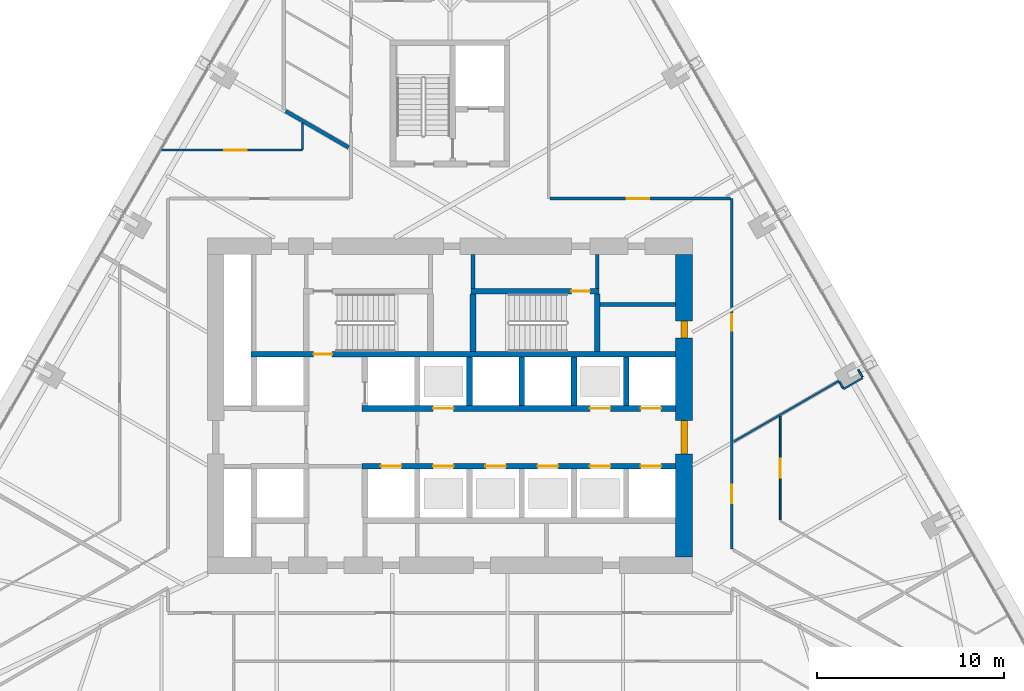
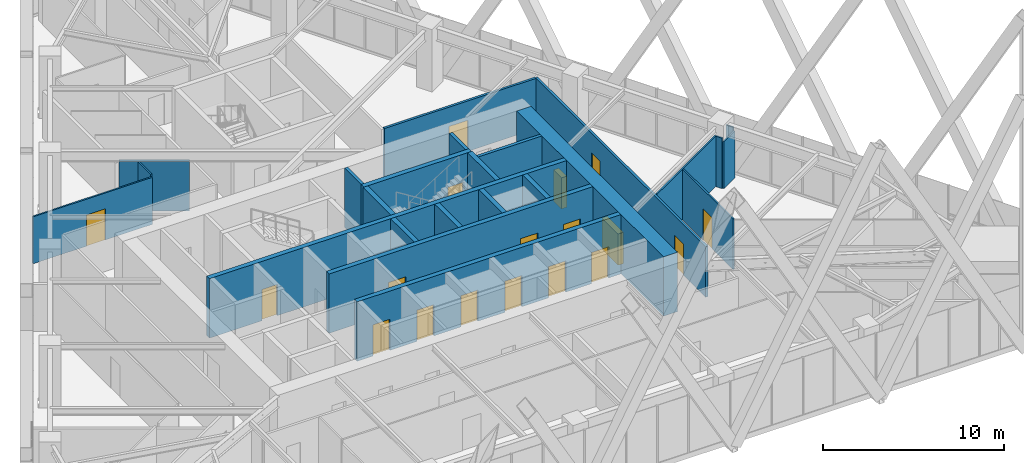
# One storey, part 15 of 19: 24 walls, 18 doors, 18 openings.
"""IFC4 building model written with IfcOpenShell, lengths in metres."""

from ifc_helpers import new_model, si_unit, direction, frame, frame_2d, origin, place, context, subcontext, project, spatial, rectangle, extrude, material, layer, layer_set, type_object, element, fill, save


model = new_model("IFC4")

# Units and contexts
model_context = context("Model", 3, precision=1e-05, world=origin(), true_north=direction((0.0, 1.0)))
body_context = subcontext(model_context, "Body", "Model", "MODEL_VIEW")
ifc_project = project(units=[si_unit("LENGTHUNIT", "METRE"), si_unit("AREAUNIT", "SQUARE_METRE"), si_unit("VOLUMEUNIT", "CUBIC_METRE"), si_unit("PLANEANGLEUNIT", "RADIAN"), si_unit("MASSUNIT", "GRAM", prefix="KILO")], contexts=[model_context])

# Site, building, storey
site_placement = place(None, origin())
site = spatial("IfcSite", under=ifc_project, at=site_placement, CompositionType="ELEMENT")
building_placement = place(site_placement, origin())
building = spatial("IfcBuilding", under=site, at=building_placement, Name="Firuza Gate Tower and Library", CompositionType="ELEMENT")
storey_placement = place(building_placement, frame((0.0, 0.0, 124.0)))
storey = spatial("IfcBuildingStorey", under=building, at=storey_placement, Name="L28", CompositionType="ELEMENT", Elevation=124.0)

# Walls
ifc_material_1 = material(Name="Plasterboard on steel studs", Category="steel")
ifc_layer_1 = layer(ifc_material_1, 0.199951171875)
ifc_layer_set_1 = layer_set([ifc_layer_1], Name="Core partition 200 EI 120")
wall_type_1 = type_object("IfcWallType", Name="Core partition 200 EI 120", PredefinedType="PARTITIONING", material=ifc_layer_set_1)
wall_1_placement = place(storey_placement, frame((83.050048828125, 80.425048828125, 0.0), z_axis=(0.0, 0.0, 1.0), x_axis=(1.0, 0.0, 0.0)))
element("IfcWall", 1, at=wall_1_placement, inside=storey, type_object=wall_type_1, Name="Core partition L28 4", PredefinedType="PARTITIONING", context=body_context, shape_type="SweptSolid", body=[
    extrude(rectangle(XDim=4.050048828125, YDim=0.199951171875, at=frame_2d((2.02490234375, 0.0))), origin(), (0.0, 0.0, 1.0), 4.0),
])
wall_2_placement = place(storey_placement, frame((82.89990234375, 81.280029296875, 0.0), z_axis=(0.0, 0.0, 1.0), x_axis=(0.0, 1.0, 0.0)))
element("IfcWall", 2, at=wall_2_placement, inside=storey, type_object=wall_type_1, Name="Core partition L28 16", PredefinedType="PARTITIONING", context=body_context, shape_type="SweptSolid", body=[
    extrude(rectangle(XDim=1.820068359375, YDim=0.199951171875, at=frame_2d((0.91015625, 0.0))), origin(), (0.0, 0.0, 1.0), 4.0),
])
ifc_material_2 = material(Name="Plasterboard on steel studs", Category="steel")
ifc_layer_2 = layer(ifc_material_2, 0.199951171875)
ifc_layer_set_2 = layer_set([ifc_layer_2], Name="Core partition 200 EI 60")
wall_type_2 = type_object("IfcWallType", Name="Core partition 200 EI 60", PredefinedType="PARTITIONING", material=ifc_layer_set_2)
wall_3_placement = place(storey_placement, frame((76.239990234375, 81.280029296875, 0.0), z_axis=(0.0, 0.0, 1.0), x_axis=(0.0, 1.0, 0.0)))
element("IfcWall", 3, at=wall_3_placement, inside=storey, type_object=wall_type_2, Name="Core partition L28 14", PredefinedType="PARTITIONING", context=body_context, shape_type="SweptSolid", body=[
    extrude(rectangle(XDim=1.820068359375, YDim=0.199951171875, at=frame_2d((0.91015625, 0.0))), origin(), (0.0, 0.0, 1.0), 4.0),
])

# Wall, openings, doors
ifc_material_3 = material(Name="Concrete C80/95", Category="concrete")
ifc_layer_3 = layer(ifc_material_3, 0.300048828125)
ifc_layer_set_3 = layer_set([ifc_layer_3], Name="Core wall 300 C80/95")
wall_type_3 = type_object("IfcWallType", Name="Core wall 300 C80/95", PredefinedType="SHEAR", material=ifc_layer_set_3)
wall_4_placement = place(storey_placement, frame((70.300048828125, 71.75, 0.0), z_axis=(0.0, 0.0, 1.0), x_axis=(1.0, 0.0, 0.0)))
wall_4 = element("IfcWall", 4, at=wall_4_placement, inside=storey, type_object=wall_type_3, Name="Core wall L28 8", PredefinedType="SHEAR", context=body_context, shape_type="SweptSolid", body=[
    extrude(rectangle(XDim=16.800048828125, YDim=0.300048828125, at=frame_2d((8.39990234375, 0.0))), origin(), (0.0, 0.0, 1.0), 4.0),
])
opening_1_placement = place(wall_4_placement, frame((1.0, 0.0, 0.0)))
opening_1 = element("IfcOpeningElement", 5, at=opening_1_placement, cuts=wall_4, Name="Opening LD-FF1-L28", PredefinedType="OPENING", context=body_context, shape_type="SweptSolid", body=[
    extrude(rectangle(XDim=1.10009765625, YDim=2.10009765625, at=frame_2d((0.550048828125, 1.050048828125))), frame((0.0, 0.16015625, 0.0), z_axis=(0.0, -1.0, 0.0), x_axis=(1.0, 0.0, 0.0)), (0.0, 0.0, 1.0), 0.320068359375),
])
opening_2_placement = place(wall_4_placement, frame((3.800048828125, 0.0, 0.0)))
opening_2 = element("IfcOpeningElement", 6, at=opening_2_placement, cuts=wall_4, Name="Opening LD-LR1-L28", PredefinedType="OPENING", context=body_context, shape_type="SweptSolid", body=[
    extrude(rectangle(XDim=1.10009765625, YDim=2.10009765625, at=frame_2d((0.550048828125, 1.050048828125))), frame((0.0, 0.16015625, 0.0), z_axis=(0.0, -1.0, 0.0), x_axis=(1.0, 0.0, 0.0)), (0.0, 0.0, 1.0), 0.320068359375),
])
opening_3_placement = place(wall_4_placement, frame((6.60009765625, 0.0, 0.0)))
opening_3 = element("IfcOpeningElement", 7, at=opening_3_placement, cuts=wall_4, Name="Opening LD-LR2-L28", PredefinedType="OPENING", context=body_context, shape_type="SweptSolid", body=[
    extrude(rectangle(XDim=1.10009765625, YDim=2.10009765625, at=frame_2d((0.550048828125, 1.050048828125))), frame((0.0, 0.16015625, 0.0), z_axis=(0.0, -1.0, 0.0), x_axis=(1.0, 0.0, 0.0)), (0.0, 0.0, 1.0), 0.320068359375),
])
opening_4_placement = place(wall_4_placement, frame((9.39990234375, 0.0, 0.0)))
opening_4 = element("IfcOpeningElement", 8, at=opening_4_placement, cuts=wall_4, Name="Opening LD-LR3-L28", PredefinedType="OPENING", context=body_context, shape_type="SweptSolid", body=[
    extrude(rectangle(XDim=1.10009765625, YDim=2.10009765625, at=frame_2d((0.550048828125, 1.050048828125))), frame((0.0, 0.16015625, 0.0), z_axis=(0.0, -1.0, 0.0), x_axis=(1.0, 0.0, 0.0)), (0.0, 0.0, 1.0), 0.320068359375),
])
opening_5_placement = place(wall_4_placement, frame((12.199951171875, 0.0, 0.0)))
opening_5 = element("IfcOpeningElement", 9, at=opening_5_placement, cuts=wall_4, Name="Opening LD-LR5-L28", PredefinedType="OPENING", context=body_context, shape_type="SweptSolid", body=[
    extrude(rectangle(XDim=1.10009765625, YDim=2.10009765625, at=frame_2d((0.550048828125, 1.050048828125))), frame((0.0, 0.16015625, 0.0), z_axis=(0.0, -1.0, 0.0), x_axis=(1.0, 0.0, 0.0)), (0.0, 0.0, 1.0), 0.320068359375),
])
opening_6_placement = place(wall_4_placement, frame((14.925048828125, 0.0, 0.0)))
opening_6 = element("IfcOpeningElement", 10, at=opening_6_placement, cuts=wall_4, Name="Opening LD-LR7-L28", PredefinedType="OPENING", context=body_context, shape_type="SweptSolid", body=[
    extrude(rectangle(XDim=1.10009765625, YDim=2.10009765625, at=frame_2d((0.550048828125, 1.050048828125))), frame((0.0, 0.16015625, 0.0), z_axis=(0.0, -1.0, 0.0), x_axis=(1.0, 0.0, 0.0)), (0.0, 0.0, 1.0), 0.320068359375),
])
ifc_material_4 = material(Name="Stainless steel", Category="steel")
door_type_1 = type_object("IfcDoorType", Name="Lift landing door 1100x2100", OperationType="DOUBLE_DOOR_SLIDING", PredefinedType="DOOR", material=ifc_material_4)
door_1_placement = place(opening_1_placement, origin())
door_1 = element("IfcDoor", 11, at=door_1_placement, inside=storey, type_object=door_type_1, Name="Landing door FF1 L28", OperationType="DOUBLE_DOOR_SLIDING", OverallHeight=2.10009765625, OverallWidth=1.10009765625, PredefinedType="DOOR", context=body_context, shape_type="SweptSolid", body=[
    extrude(rectangle(XDim=1.10009765625, YDim=2.10009765625, at=frame_2d((0.550048828125, 1.050048828125))), frame((0.0, 0.02490234375, 0.0), z_axis=(0.0, -1.0, 0.0), x_axis=(1.0, 0.0, 0.0)), (0.0, 0.0, 1.0), 0.050048828125),
])
fill(opening_1, door_1)
door_2_placement = place(opening_2_placement, origin())
door_2 = element("IfcDoor", 12, at=door_2_placement, inside=storey, type_object=door_type_1, Name="Landing door LR1 L28", OperationType="DOUBLE_DOOR_SLIDING", OverallHeight=2.10009765625, OverallWidth=1.10009765625, PredefinedType="DOOR", context=body_context, shape_type="SweptSolid", body=[
    extrude(rectangle(XDim=1.10009765625, YDim=2.10009765625, at=frame_2d((0.550048828125, 1.050048828125))), frame((0.0, 0.02490234375, 0.0), z_axis=(0.0, -1.0, 0.0), x_axis=(1.0, 0.0, 0.0)), (0.0, 0.0, 1.0), 0.050048828125),
])
fill(opening_2, door_2)
door_3_placement = place(opening_3_placement, origin())
door_3 = element("IfcDoor", 13, at=door_3_placement, inside=storey, type_object=door_type_1, Name="Landing door LR2 L28", OperationType="DOUBLE_DOOR_SLIDING", OverallHeight=2.10009765625, OverallWidth=1.10009765625, PredefinedType="DOOR", context=body_context, shape_type="SweptSolid", body=[
    extrude(rectangle(XDim=1.10009765625, YDim=2.10009765625, at=frame_2d((0.550048828125, 1.050048828125))), frame((0.0, 0.02490234375, 0.0), z_axis=(0.0, -1.0, 0.0), x_axis=(1.0, 0.0, 0.0)), (0.0, 0.0, 1.0), 0.050048828125),
])
fill(opening_3, door_3)
door_4_placement = place(opening_4_placement, origin())
door_4 = element("IfcDoor", 14, at=door_4_placement, inside=storey, type_object=door_type_1, Name="Landing door LR3 L28", OperationType="DOUBLE_DOOR_SLIDING", OverallHeight=2.10009765625, OverallWidth=1.10009765625, PredefinedType="DOOR", context=body_context, shape_type="SweptSolid", body=[
    extrude(rectangle(XDim=1.10009765625, YDim=2.10009765625, at=frame_2d((0.550048828125, 1.050048828125))), frame((0.0, 0.02490234375, 0.0), z_axis=(0.0, -1.0, 0.0), x_axis=(1.0, 0.0, 0.0)), (0.0, 0.0, 1.0), 0.050048828125),
])
fill(opening_4, door_4)
door_5_placement = place(opening_5_placement, origin())
door_5 = element("IfcDoor", 15, at=door_5_placement, inside=storey, type_object=door_type_1, Name="Landing door LR5 L28", OperationType="DOUBLE_DOOR_SLIDING", OverallHeight=2.10009765625, OverallWidth=1.10009765625, PredefinedType="DOOR", context=body_context, shape_type="SweptSolid", body=[
    extrude(rectangle(XDim=1.10009765625, YDim=2.10009765625, at=frame_2d((0.550048828125, 1.050048828125))), frame((0.0, 0.02490234375, 0.0), z_axis=(0.0, -1.0, 0.0), x_axis=(1.0, 0.0, 0.0)), (0.0, 0.0, 1.0), 0.050048828125),
])
fill(opening_5, door_5)
door_6_placement = place(opening_6_placement, origin())
door_6 = element("IfcDoor", 16, at=door_6_placement, inside=storey, type_object=door_type_1, Name="Landing door LR7 L28", OperationType="DOUBLE_DOOR_SLIDING", OverallHeight=2.10009765625, OverallWidth=1.10009765625, PredefinedType="DOOR", context=body_context, shape_type="SweptSolid", body=[
    extrude(rectangle(XDim=1.10009765625, YDim=2.10009765625, at=frame_2d((0.550048828125, 1.050048828125))), frame((0.0, 0.02490234375, 0.0), z_axis=(0.0, -1.0, 0.0), x_axis=(1.0, 0.0, 0.0)), (0.0, 0.0, 1.0), 0.050048828125),
])
fill(opening_6, door_6)

wall_5_placement = place(storey_placement, frame((70.300048828125, 74.85009765625, 0.0), z_axis=(0.0, 0.0, 1.0), x_axis=(1.0, 0.0, 0.0)))
wall_5 = element("IfcWall", 17, at=wall_5_placement, inside=storey, type_object=wall_type_3, Name="Core wall L28 10", PredefinedType="SHEAR", context=body_context, shape_type="SweptSolid", body=[
    extrude(rectangle(XDim=16.800048828125, YDim=0.300048828125, at=frame_2d((8.39990234375, 0.0))), origin(), (0.0, 0.0, 1.0), 4.0),
])
opening_7_placement = place(wall_5_placement, frame((3.800048828125, 0.0, 0.0)))
opening_7 = element("IfcOpeningElement", 18, at=opening_7_placement, cuts=wall_5, Name="Opening LD-LR4-L28", PredefinedType="OPENING", context=body_context, shape_type="SweptSolid", body=[
    extrude(rectangle(XDim=1.10009765625, YDim=2.10009765625, at=frame_2d((0.550048828125, 1.050048828125))), frame((0.0, 0.16015625, 0.0), z_axis=(0.0, -1.0, 0.0), x_axis=(1.0, 0.0, 0.0)), (0.0, 0.0, 1.0), 0.320068359375),
])
opening_8_placement = place(wall_5_placement, frame((12.199951171875, 0.0, 0.0)))
opening_8 = element("IfcOpeningElement", 19, at=opening_8_placement, cuts=wall_5, Name="Opening LD-LR6-L28", PredefinedType="OPENING", context=body_context, shape_type="SweptSolid", body=[
    extrude(rectangle(XDim=1.10009765625, YDim=2.10009765625, at=frame_2d((0.550048828125, 1.050048828125))), frame((0.0, 0.16015625, 0.0), z_axis=(0.0, -1.0, 0.0), x_axis=(1.0, 0.0, 0.0)), (0.0, 0.0, 1.0), 0.320068359375),
])
opening_9_placement = place(wall_5_placement, frame((14.925048828125, 0.0, 0.0)))
opening_9 = element("IfcOpeningElement", 20, at=opening_9_placement, cuts=wall_5, Name="Opening LD-LR8-L28", PredefinedType="OPENING", context=body_context, shape_type="SweptSolid", body=[
    extrude(rectangle(XDim=1.10009765625, YDim=2.10009765625, at=frame_2d((0.550048828125, 1.050048828125))), frame((0.0, 0.16015625, 0.0), z_axis=(0.0, -1.0, 0.0), x_axis=(1.0, 0.0, 0.0)), (0.0, 0.0, 1.0), 0.320068359375),
])
door_7_placement = place(opening_7_placement, origin())
door_7 = element("IfcDoor", 21, at=door_7_placement, inside=storey, type_object=door_type_1, Name="Landing door LR4 L28", OperationType="DOUBLE_DOOR_SLIDING", OverallHeight=2.10009765625, OverallWidth=1.10009765625, PredefinedType="DOOR", context=body_context, shape_type="SweptSolid", body=[
    extrude(rectangle(XDim=1.10009765625, YDim=2.10009765625, at=frame_2d((0.550048828125, 1.050048828125))), frame((0.0, 0.02490234375, 0.0), z_axis=(0.0, -1.0, 0.0), x_axis=(1.0, 0.0, 0.0)), (0.0, 0.0, 1.0), 0.050048828125),
])
fill(opening_7, door_7)
door_8_placement = place(opening_8_placement, origin())
door_8 = element("IfcDoor", 22, at=door_8_placement, inside=storey, type_object=door_type_1, Name="Landing door LR6 L28", OperationType="DOUBLE_DOOR_SLIDING", OverallHeight=2.10009765625, OverallWidth=1.10009765625, PredefinedType="DOOR", context=body_context, shape_type="SweptSolid", body=[
    extrude(rectangle(XDim=1.10009765625, YDim=2.10009765625, at=frame_2d((0.550048828125, 1.050048828125))), frame((0.0, 0.02490234375, 0.0), z_axis=(0.0, -1.0, 0.0), x_axis=(1.0, 0.0, 0.0)), (0.0, 0.0, 1.0), 0.050048828125),
])
fill(opening_8, door_8)
door_9_placement = place(opening_9_placement, origin())
door_9 = element("IfcDoor", 23, at=door_9_placement, inside=storey, type_object=door_type_1, Name="Landing door LR8 L28", OperationType="DOUBLE_DOOR_SLIDING", OverallHeight=2.10009765625, OverallWidth=1.10009765625, PredefinedType="DOOR", context=body_context, shape_type="SweptSolid", body=[
    extrude(rectangle(XDim=1.10009765625, YDim=2.10009765625, at=frame_2d((0.550048828125, 1.050048828125))), frame((0.0, 0.02490234375, 0.0), z_axis=(0.0, -1.0, 0.0), x_axis=(1.0, 0.0, 0.0)), (0.0, 0.0, 1.0), 0.050048828125),
])
fill(opening_9, door_9)

# Walls
for number, where, z_axis, x_axis, name in (
    (24, (76.050048828125, 75.0, 0.0), (0.0, 0.0, 1.0), (0.0, 1.0, 0.0), "Core wall L28 20"),
    (25, (78.85009765625, 75.0, 0.0), (0.0, 0.0, 1.0), (0.0, 1.0, 0.0), "Core wall L28 22"),
    (26, (81.64990234375, 75.0, 0.0), (0.0, 0.0, 1.0), (0.0, 1.0, 0.0), "Core wall L28 24"),
    (27, (84.449951171875, 75.0, 0.0), (0.0, 0.0, 1.0), (0.0, 1.0, 0.0), "Core wall L28 26"),
):
    element("IfcWall", number, at=place(storey_placement, frame(where, z_axis=z_axis, x_axis=x_axis)), inside=storey, type_object=wall_type_3, Name=name, PredefinedType="SHEAR", context=body_context, shape_type="SweptSolid", body=[
        extrude(rectangle(XDim=2.60009765625, YDim=0.300048828125, at=frame_2d((1.300048828125, 0.0))), origin(), (0.0, 0.0, 1.0), 4.0),
    ])

# Wall, opening, door
wall_6_placement = place(storey_placement, frame((64.35009765625, 77.75, 0.0), z_axis=(0.0, 0.0, 1.0), x_axis=(1.0, 0.0, 0.0)))
wall_6 = element("IfcWall", 28, at=wall_6_placement, inside=storey, type_object=wall_type_3, Name="Core wall L28 27", PredefinedType="SHEAR", context=body_context, shape_type="SweptSolid", body=[
    extrude(rectangle(XDim=22.75, YDim=0.300048828125, at=frame_2d((11.375, 0.0))), origin(), (0.0, 0.0, 1.0), 4.0),
])
opening_10_placement = place(wall_6_placement, frame((3.344970703125, 0.0, 0.0)))
opening_10 = element("IfcOpeningElement", 29, at=opening_10_placement, cuts=wall_6, Name="Opening L28-K12", PredefinedType="OPENING", context=body_context, shape_type="SweptSolid", body=[
    extrude(rectangle(XDim=1.0, YDim=2.10009765625, at=frame_2d((0.5, 1.050048828125))), frame((0.0, 0.16015625, 0.0), z_axis=(0.0, -1.0, 0.0), x_axis=(1.0, 0.0, 0.0)), (0.0, 0.0, 1.0), 0.320068359375),
])
ifc_material_5 = material(Name="Steel", Category="steel")
door_type_2 = type_object("IfcDoorType", Name="Fire door 1000x2100 FD90", OperationType="NOTDEFINED", PredefinedType="DOOR", material=ifc_material_5)
door_10_placement = place(opening_10_placement, origin())
door_10 = element("IfcDoor", 30, at=door_10_placement, inside=storey, type_object=door_type_2, Name="Door L28-K12", OperationType="SINGLE_SWING_LEFT", OverallHeight=2.10009765625, OverallWidth=1.0, PredefinedType="DOOR", context=body_context, shape_type="SweptSolid", body=[
    extrude(rectangle(XDim=1.0, YDim=2.10009765625, at=frame_2d((0.5, 1.050048828125))), frame((0.0, 0.02490234375, 0.0), z_axis=(0.0, -1.0, 0.0), x_axis=(1.0, 0.0, 0.0)), (0.0, 0.0, 1.0), 0.050048828125),
])
fill(opening_10, door_10)

wall_7_placement = place(storey_placement, frame((76.139892578125, 81.1298828125, 0.0), z_axis=(0.0, 0.0, 1.0), x_axis=(1.0, 0.0, 0.0)))
wall_7 = element("IfcWall", 31, at=wall_7_placement, inside=storey, type_object=wall_type_3, Name="Core wall L28 29", PredefinedType="SHEAR", context=body_context, shape_type="SweptSolid", body=[
    extrude(rectangle(XDim=6.860107421875, YDim=0.300048828125, at=frame_2d((3.43017578125, 0.0))), origin(), (0.0, 0.0, 1.0), 4.0),
])
opening_11_placement = place(wall_7_placement, frame((5.364990234375, 0.0, 0.0)))
opening_11 = element("IfcOpeningElement", 32, at=opening_11_placement, cuts=wall_7, Name="Opening L28-K15", PredefinedType="OPENING", context=body_context, shape_type="SweptSolid", body=[
    extrude(rectangle(XDim=1.0, YDim=2.10009765625, at=frame_2d((0.5, 1.050048828125))), frame((0.0, 0.16015625, 0.0), z_axis=(0.0, -1.0, 0.0), x_axis=(1.0, 0.0, 0.0)), (0.0, 0.0, 1.0), 0.320068359375),
])
door_11_placement = place(opening_11_placement, origin())
door_11 = element("IfcDoor", 33, at=door_11_placement, inside=storey, type_object=door_type_2, Name="Door L28-K15", OperationType="SINGLE_SWING_RIGHT", OverallHeight=2.10009765625, OverallWidth=1.0, PredefinedType="DOOR", context=body_context, shape_type="SweptSolid", body=[
    extrude(rectangle(XDim=1.0, YDim=2.10009765625, at=frame_2d((0.5, 1.050048828125))), frame((0.0, 0.02490234375, 0.0), z_axis=(0.0, -1.0, 0.0), x_axis=(1.0, 0.0, 0.0)), (0.0, 0.0, 1.0), 0.050048828125),
])
fill(opening_11, door_11)

# Walls
for number, where, z_axis, x_axis, name in (
    (34, (76.239990234375, 77.89990234375, 0.0), (0.0, 0.0, 1.0), (0.0, 1.0, 0.0), "Core wall L28 32"),
    (35, (82.89990234375, 77.89990234375, 0.0), (0.0, 0.0, 1.0), (0.0, 1.0, 0.0), "Core wall L28 33"),
):
    element("IfcWall", number, at=place(storey_placement, frame(where, z_axis=z_axis, x_axis=x_axis)), inside=storey, type_object=wall_type_3, Name=name, PredefinedType="SHEAR", context=body_context, shape_type="SweptSolid", body=[
        extrude(rectangle(XDim=3.080078125, YDim=0.300048828125, at=frame_2d((1.5400390625, 0.0))), origin(), (0.0, 0.0, 1.0), 4.0),
    ])

# Wall, openings, doors
ifc_material_6 = material(Name="Concrete C80/95", Category="concrete")
ifc_layer_4 = layer(ifc_material_6, 0.89990234375)
ifc_layer_set_4 = layer_set([ifc_layer_4], Name="Core wall 900 C80/95")
wall_type_4 = type_object("IfcWallType", Name="Core wall 900 C80/95", PredefinedType="SHEAR", material=ifc_layer_set_4)
wall_8_placement = place(storey_placement, frame((87.550048828125, 66.89990234375, 0.0), z_axis=(0.0, 0.0, 1.0), x_axis=(0.0, 1.0, 0.0)))
wall_8 = element("IfcWall", 36, at=wall_8_placement, inside=storey, type_object=wall_type_4, Name="Core wall L28 4", PredefinedType="SHEAR", context=body_context, shape_type="SweptSolid", body=[
    extrude(rectangle(XDim=16.2001953125, YDim=0.89990234375, at=frame_2d((8.10009765625, 0.0))), origin(), (0.0, 0.0, 1.0), 4.0),
])
opening_12_placement = place(wall_8_placement, frame((5.5, 0.0, 0.0)))
opening_12 = element("IfcOpeningElement", 37, at=opening_12_placement, cuts=wall_8, Name="Opening L28-K23", PredefinedType="OPENING", context=body_context, shape_type="SweptSolid", body=[
    extrude(rectangle(XDim=1.800048828125, YDim=2.10009765625, at=frame_2d((0.89990234375, 1.050048828125))), frame((0.0, 0.4599609375, 0.0), z_axis=(0.0, -1.0, 0.0), x_axis=(1.0, 0.0, 0.0)), (0.0, 0.0, 1.0), 0.919921875),
])
opening_13_placement = place(wall_8_placement, frame((11.737548828125, 0.0, 0.0)))
opening_13 = element("IfcOpeningElement", 38, at=opening_13_placement, cuts=wall_8, Name="Opening L28-K31", PredefinedType="OPENING", context=body_context, shape_type="SweptSolid", body=[
    extrude(rectangle(XDim=0.89990234375, YDim=2.10009765625, at=frame_2d((0.449951171875, 1.050048828125))), frame((0.0, 0.4599609375, 0.0), z_axis=(0.0, -1.0, 0.0), x_axis=(1.0, 0.0, 0.0)), (0.0, 0.0, 1.0), 0.919921875),
])
ifc_material_7 = material(Name="Steel", Category="steel")
door_type_3 = type_object("IfcDoorType", Name="Fire door 1800x2100 FD30S", OperationType="NOTDEFINED", PredefinedType="DOOR", material=ifc_material_7)
door_12_placement = place(opening_12_placement, origin())
door_12 = element("IfcDoor", 39, at=door_12_placement, inside=storey, type_object=door_type_3, Name="Door L28-K23", OperationType="SINGLE_SWING_RIGHT", OverallHeight=2.10009765625, OverallWidth=1.800048828125, PredefinedType="DOOR", context=body_context, shape_type="SweptSolid", body=[
    extrude(rectangle(XDim=1.800048828125, YDim=2.10009765625, at=frame_2d((0.89990234375, 1.050048828125))), frame((0.0, 0.169921875, 0.0), z_axis=(0.0, -1.0, 0.0), x_axis=(1.0, 0.0, 0.0)), (0.0, 0.0, 1.0), 0.33984375),
])
fill(opening_12, door_12)
ifc_material_8 = material(Name="Steel", Category="steel")
door_type_4 = type_object("IfcDoorType", Name="Fire door 900x2100 FD30S", OperationType="NOTDEFINED", PredefinedType="DOOR", material=ifc_material_8)
door_13_placement = place(opening_13_placement, origin())
door_13 = element("IfcDoor", 40, at=door_13_placement, inside=storey, type_object=door_type_4, Name="Door L28-K31", OperationType="SINGLE_SWING_RIGHT", OverallHeight=2.10009765625, OverallWidth=0.89990234375, PredefinedType="DOOR", context=body_context, shape_type="SweptSolid", body=[
    extrude(rectangle(XDim=0.89990234375, YDim=2.10009765625, at=frame_2d((0.449951171875, 1.050048828125))), frame((0.0, 0.169921875, 0.0), z_axis=(0.0, -1.0, 0.0), x_axis=(1.0, 0.0, 0.0)), (0.0, 0.0, 1.0), 0.33984375),
])
fill(opening_13, door_13)

# Wall, opening, door
ifc_material_9 = material(Name="Gypsum board partition")
ifc_layer_5 = layer(ifc_material_9, 0.14990234375)
ifc_layer_set_5 = layer_set([ifc_layer_5], Name="Corridor wall 150 double board on steel studs")
wall_type_5 = type_object("IfcWallType", Name="Corridor wall 150 double board on steel studs", PredefinedType="PARTITIONING", material=ifc_layer_set_5)
wall_9_placement = place(storey_placement, frame((80.375, 86.10009765625, 0.0), z_axis=(0.0, 0.0, 1.0), x_axis=(1.0, 0.0, 0.0)))
wall_9 = element("IfcWall", 41, at=wall_9_placement, inside=storey, type_object=wall_type_5, Name="f:L28:w003", PredefinedType="PARTITIONING", context=body_context, shape_type="SweptSolid", body=[
    extrude(rectangle(XDim=9.6494140625, YDim=0.14990234375, at=frame_2d((4.82470703125, 0.0))), origin(), (0.0, 0.0, 1.0), 3.39990234375),
])
opening_14_placement = place(wall_9_placement, frame((4.1103515625, 0.0, 0.0)))
opening_14 = element("IfcOpeningElement", 42, at=opening_14_placement, cuts=wall_9, Name="Opening L28-07", PredefinedType="OPENING", context=body_context, shape_type="SweptSolid", body=[
    extrude(rectangle(XDim=1.199951171875, YDim=2.10009765625, at=frame_2d((0.60009765625, 1.050048828125))), frame((0.0, 0.0849609375, 0.0), z_axis=(0.0, -1.0, 0.0), x_axis=(1.0, 0.0, 0.0)), (0.0, 0.0, 1.0), 0.169921875),
])
ifc_material_10 = material(Name="Steel door and timber leaf", Category="steel")
door_type_5 = type_object("IfcDoorType", Name="Fire door 1200 x 2100 steel frame, double leaf", OperationType="NOTDEFINED", PredefinedType="DOOR", material=ifc_material_10)
door_14_placement = place(opening_14_placement, origin())
door_14 = element("IfcDoor", 43, at=door_14_placement, inside=storey, type_object=door_type_5, Name="f:L28:d007", OperationType="DOUBLE_DOOR_SINGLE_SWING", OverallHeight=2.10009765625, OverallWidth=1.199951171875, PredefinedType="DOOR", context=body_context, shape_type="SweptSolid", body=[
    extrude(rectangle(XDim=1.199951171875, YDim=2.10009765625, at=frame_2d((0.60009765625, 1.050048828125))), frame((0.0, 0.02490234375, 0.0), z_axis=(0.0, -1.0, 0.0), x_axis=(1.0, 0.0, 0.0)), (0.0, 0.0, 1.0), 0.050048828125),
])
fill(opening_14, door_14)

# Wall, openings, doors
wall_10_placement = place(storey_placement, frame((90.10009765625, 86.099609375, 0.0), z_axis=(0.0, 0.0, 1.0), x_axis=(0.0, -1.0, 0.0)))
wall_10 = element("IfcWall", 44, at=wall_10_placement, inside=storey, type_object=wall_type_5, Name="f:L28:w029", PredefinedType="PARTITIONING", context=body_context, shape_type="SweptSolid", body=[
    extrude(rectangle(XDim=18.7783203125, YDim=0.14990234375, at=frame_2d((9.38916015625, 0.0))), origin(), (0.0, 0.0, 1.0), 3.39990234375),
])
opening_15_placement = place(wall_10_placement, frame((6.195556640625, 0.0, 0.0)))
opening_15 = element("IfcOpeningElement", 45, at=opening_15_placement, cuts=wall_10, Name="Opening L28-18", PredefinedType="OPENING", context=body_context, shape_type="SweptSolid", body=[
    extrude(rectangle(XDim=0.89990234375, YDim=2.10009765625, at=frame_2d((0.449951171875, 1.050048828125))), frame((0.0, 0.0849609375, 0.0), z_axis=(0.0, -1.0, 0.0), x_axis=(1.0, 0.0, 0.0)), (0.0, 0.0, 1.0), 0.169921875),
])
opening_16_placement = place(wall_10_placement, frame((15.33154296875, 0.0, 0.0)))
opening_16 = element("IfcOpeningElement", 46, at=opening_16_placement, cuts=wall_10, Name="Opening L28-19", PredefinedType="OPENING", context=body_context, shape_type="SweptSolid", body=[
    extrude(rectangle(XDim=1.0, YDim=2.10009765625, at=frame_2d((0.5, 1.050048828125))), frame((0.0, 0.0849609375, 0.0), z_axis=(0.0, -1.0, 0.0), x_axis=(1.0, 0.0, 0.0)), (0.0, 0.0, 1.0), 0.169921875),
])
ifc_material_11 = material(Name="Steel door and timber leaf", Category="steel")
door_type_6 = type_object("IfcDoorType", Name="Fire door 1000 x 2100 steel frame, timber leaf", OperationType="NOTDEFINED", PredefinedType="DOOR", material=ifc_material_11)
door_15_placement = place(opening_16_placement, origin())
door_15 = element("IfcDoor", 47, at=door_15_placement, inside=storey, type_object=door_type_6, Name="f:L28:d019", OperationType="SINGLE_SWING_RIGHT", OverallHeight=2.10009765625, OverallWidth=1.0, PredefinedType="DOOR", context=body_context, shape_type="SweptSolid", body=[
    extrude(rectangle(XDim=1.0, YDim=2.10009765625, at=frame_2d((0.5, 1.050048828125))), frame((0.0, 0.02490234375, 0.0), z_axis=(0.0, -1.0, 0.0), x_axis=(1.0, 0.0, 0.0)), (0.0, 0.0, 1.0), 0.050048828125),
])
fill(opening_16, door_15)
ifc_material_12 = material(Name="Steel door and timber leaf", Category="steel")
door_type_7 = type_object("IfcDoorType", Name="Fire door 900 x 2100 steel frame, timber leaf", OperationType="NOTDEFINED", PredefinedType="DOOR", material=ifc_material_12)
door_16_placement = place(opening_15_placement, origin())
door_16 = element("IfcDoor", 48, at=door_16_placement, inside=storey, type_object=door_type_7, Name="f:L28:d018", OperationType="SINGLE_SWING_LEFT", OverallHeight=2.10009765625, OverallWidth=0.89990234375, PredefinedType="DOOR", context=body_context, shape_type="SweptSolid", body=[
    extrude(rectangle(XDim=0.89990234375, YDim=2.10009765625, at=frame_2d((0.449951171875, 1.050048828125))), frame((0.0, 0.02490234375, 0.0), z_axis=(0.0, -1.0, 0.0), x_axis=(1.0, 0.0, 0.0)), (0.0, 0.0, 1.0), 0.050048828125),
])
fill(opening_15, door_16)

# Wall
ifc_material_13 = material(Name="Gypsum board partition")
ifc_layer_6 = layer(ifc_material_13, 0.199951171875)
ifc_layer_set_6 = layer_set([ifc_layer_6], Name="Demising wall 200 acoustic double stud")
wall_type_6 = type_object("IfcWallType", Name="Demising wall 200 acoustic double stud", PredefinedType="PARTITIONING", material=ifc_layer_set_6)
wall_11_placement = place(storey_placement, frame((69.572998046875, 88.83984375, 0.0), z_axis=(0.0, 0.0, 1.0), x_axis=(-0.866043624834, 0.499968438888, 0.0)))
element("IfcWall", 49, at=wall_11_placement, inside=storey, type_object=wall_type_6, Name="f:L28:w053", PredefinedType="PARTITIONING", context=body_context, shape_type="SweptSolid", body=[
    extrude(rectangle(XDim=3.894775390625, YDim=0.199951171875, at=frame_2d((1.947265625, 0.0))), origin(), (0.0, 0.0, 1.0), 3.322021484375),
])

# Wall, opening, door
ifc_material_14 = material(Name="Gypsum board partition")
ifc_layer_7 = layer(ifc_material_14, 0.10009765625)
ifc_layer_set_7 = layer_set([ifc_layer_7], Name="Partition 100 gypsum board on steel studs")
wall_type_7 = type_object("IfcWallType", Name="Partition 100 gypsum board on steel studs", PredefinedType="PARTITIONING", material=ifc_layer_set_7)
wall_12_placement = place(storey_placement, frame((67.099609375, 88.699951171875, 0.0), z_axis=(0.0, 0.0, 1.0), x_axis=(-1.0, 0.0, 0.0)))
wall_12 = element("IfcWall", 50, at=wall_12_placement, inside=storey, type_object=wall_type_7, Name="f:L28:w004", PredefinedType="PARTITIONING", context=body_context, shape_type="SweptSolid", body=[
    extrude(rectangle(XDim=7.603759765625, YDim=0.10009765625, at=frame_2d((3.8017578125, 0.0))), origin(), (0.0, 0.0, 1.0), 3.1650390625),
])
opening_17_placement = place(wall_12_placement, frame((2.993896484375, 0.0, 0.0)))
opening_17 = element("IfcOpeningElement", 51, at=opening_17_placement, cuts=wall_12, Name="Opening L28-08", PredefinedType="OPENING", context=body_context, shape_type="SweptSolid", body=[
    extrude(rectangle(XDim=1.199951171875, YDim=2.10009765625, at=frame_2d((0.60009765625, 1.050048828125))), frame((0.0, 0.06005859375, 0.0), z_axis=(0.0, -1.0, 0.0), x_axis=(1.0, 0.0, 0.0)), (0.0, 0.0, 1.0), 0.1201171875),
])
ifc_material_15 = material(Name="Glazed aluminium door", Category="aluminium")
door_type_8 = type_object("IfcDoorType", Name="Door 1200 x 2100 glazed double leaf", OperationType="NOTDEFINED", PredefinedType="DOOR", material=ifc_material_15)
door_17_placement = place(opening_17_placement, origin())
door_17 = element("IfcDoor", 52, at=door_17_placement, inside=storey, type_object=door_type_8, Name="f:L28:d008", OperationType="DOUBLE_DOOR_SINGLE_SWING", OverallHeight=2.10009765625, OverallWidth=1.199951171875, PredefinedType="DOOR", context=body_context, shape_type="SweptSolid", body=[
    extrude(rectangle(XDim=1.199951171875, YDim=2.10009765625, at=frame_2d((0.60009765625, 1.050048828125))), frame((0.0, 0.02490234375, 0.0), z_axis=(0.0, -1.0, 0.0), x_axis=(1.0, 0.0, 0.0)), (0.0, 0.0, 1.0), 0.050048828125),
])
fill(opening_17, door_17)

# Walls
wall_13_placement = place(storey_placement, frame((96.095703125, 75.89599609375, 0.0), z_axis=(0.0, 0.0, 1.0), x_axis=(0.865978732077, 0.500080829057, 0.0)))
element("IfcWall", 53, at=wall_13_placement, inside=storey, type_object=wall_type_7, Name="f:L28:w012", PredefinedType="PARTITIONING", context=body_context, shape_type="SweptSolid", body=[
    extrude(rectangle(XDim=1.198974609375, YDim=0.10009765625, at=frame_2d((0.599609375, 0.0))), origin(), (0.0, 0.0, 1.0), 3.1650390625),
])
wall_14_placement = place(storey_placement, frame((90.20068359375, 73.06982421875, 0.0), z_axis=(0.0, 0.0, 1.0), x_axis=(0.866021525041, 0.500006718121, 0.0)))
element("IfcWall", 54, at=wall_14_placement, inside=storey, type_object=wall_type_7, Name="f:L28:w013", PredefinedType="PARTITIONING", context=body_context, shape_type="SweptSolid", body=[
    extrude(rectangle(XDim=6.517578125, YDim=0.10009765625, at=frame_2d((3.2587890625, 0.0))), origin(), (0.0, 0.0, 1.0), 3.39990234375),
])

# Wall, opening, door
wall_15_placement = place(storey_placement, frame((92.699951171875, 74.424560546875, 0.0), z_axis=(0.0, 0.0, 1.0), x_axis=(0.0, -1.0, 0.0)))
wall_15 = element("IfcWall", 55, at=wall_15_placement, inside=storey, type_object=wall_type_7, Name="f:L28:w027", PredefinedType="PARTITIONING", context=body_context, shape_type="SweptSolid", body=[
    extrude(rectangle(XDim=5.54443359375, YDim=0.10009765625, at=frame_2d((2.772216796875, 0.0))), origin(), (0.0, 0.0, 1.0), 3.39990234375),
])
opening_18_placement = place(wall_15_placement, frame((2.272216796875, 0.0, 0.0)))
opening_18 = element("IfcOpeningElement", 56, at=opening_18_placement, cuts=wall_15, Name="Opening L28-17", PredefinedType="OPENING", context=body_context, shape_type="SweptSolid", body=[
    extrude(rectangle(XDim=1.0, YDim=2.10009765625, at=frame_2d((0.5, 1.050048828125))), frame((0.0, 0.06005859375, 0.0), z_axis=(0.0, -1.0, 0.0), x_axis=(1.0, 0.0, 0.0)), (0.0, 0.0, 1.0), 0.1201171875),
])
ifc_material_16 = material(Name="Timber door", Category="wood")
door_type_9 = type_object("IfcDoorType", Name="Door 1000 x 2100 timber leaf", OperationType="NOTDEFINED", PredefinedType="DOOR", material=ifc_material_16)
door_18_placement = place(opening_18_placement, origin())
door_18 = element("IfcDoor", 57, at=door_18_placement, inside=storey, type_object=door_type_9, Name="f:L28:d017", OperationType="SINGLE_SWING_LEFT", OverallHeight=2.10009765625, OverallWidth=1.0, PredefinedType="DOOR", context=body_context, shape_type="SweptSolid", body=[
    extrude(rectangle(XDim=1.0, YDim=2.10009765625, at=frame_2d((0.5, 1.050048828125))), frame((0.0, 0.02490234375, 0.0), z_axis=(0.0, -1.0, 0.0), x_axis=(1.0, 0.0, 0.0)), (0.0, 0.0, 1.0), 0.050048828125),
])
fill(opening_18, door_18)

# Walls
wall_16_placement = place(storey_placement, frame((67.10009765625, 88.75048828125, 0.0), z_axis=(0.0, 0.0, 1.0), x_axis=(0.0, 1.0, 0.0)))
element("IfcWall", 58, at=wall_16_placement, inside=storey, type_object=wall_type_7, Name="f:L28:w040", PredefinedType="PARTITIONING", context=body_context, shape_type="SweptSolid", body=[
    extrude(rectangle(XDim=1.371826171875, YDim=0.10009765625, at=frame_2d((0.68603515625, 0.0))), origin(), (0.0, 0.0, 1.0), 3.322021484375),
])
wall_17_placement = place(storey_placement, frame((97.109619140625, 76.539306640625, 0.0), z_axis=(0.0, 0.0, 1.0), x_axis=(-0.500286647819, 0.865859844325, 0.0)))
element("IfcWall", 59, at=wall_17_placement, inside=storey, type_object=wall_type_7, Name="f:L28:w047", PredefinedType="PARTITIONING", context=body_context, shape_type="SweptSolid", body=[
    extrude(rectangle(XDim=0.449462890625, YDim=0.10009765625, at=frame_2d((0.224609375, 0.0))), origin(), (0.0, 0.0, 1.0), 3.39990234375),
])
wall_18_placement = place(storey_placement, frame((96.0703125, 75.939208984375, 0.0), z_axis=(0.0, 0.0, 1.0), x_axis=(-0.50002266109, 0.866012320003, 0.0)))
element("IfcWall", 60, at=wall_18_placement, inside=storey, type_object=wall_type_7, Name="f:L28:w048", PredefinedType="PARTITIONING", context=body_context, shape_type="SweptSolid", body=[
    extrude(rectangle(XDim=0.39892578125, YDim=0.10009765625, at=frame_2d((0.199462890625, 0.0))), origin(), (0.0, 0.0, 1.0), 3.39990234375),
])

save(model, "model.ifc")
